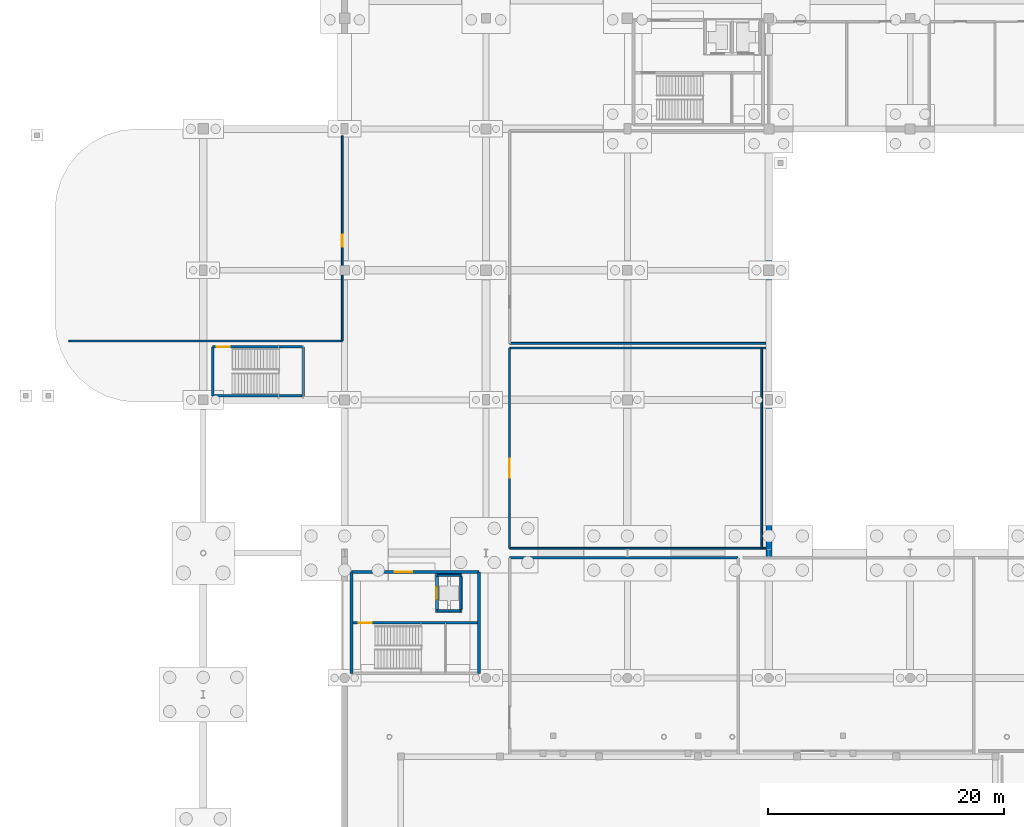
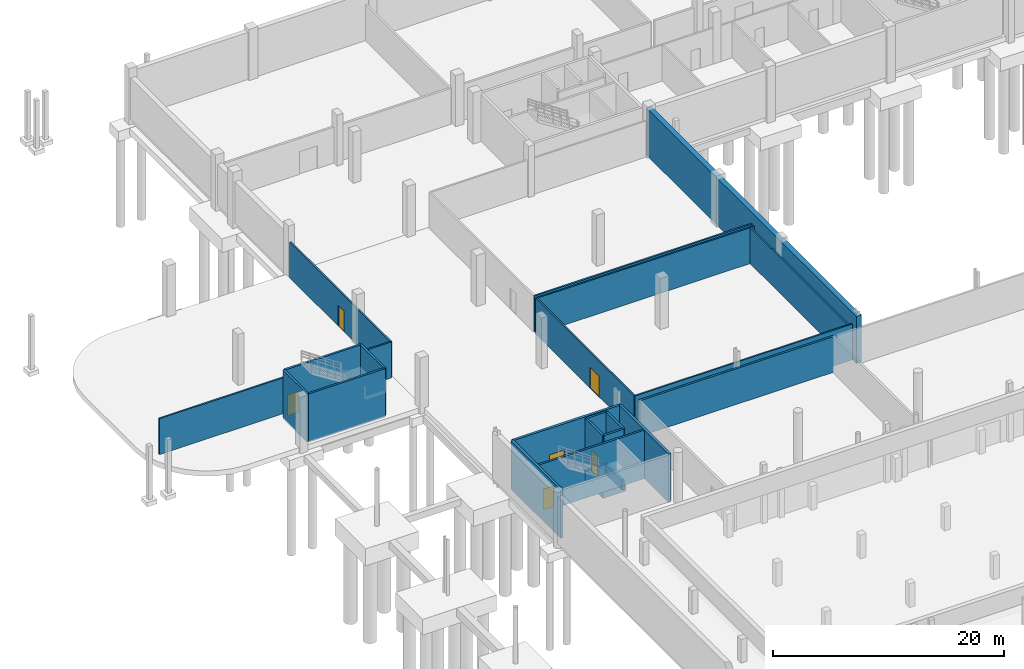
# One storey, part 29 of 42: 25 walls, 6 doors, 6 openings.
"""IFC4 building model written with IfcOpenShell, lengths in metres."""

from ifc_helpers import new_model, si_unit, direction, frame, frame_2d, origin, place, context, subcontext, project, spatial, rectangle, extrude, material, layer, layer_set, type_object, element, fill, save


model = new_model("IFC4")

# Units and contexts
model_context = context("Model", 3, precision=1e-05, world=origin(), true_north=direction((0.0, 1.0)))
body_context = subcontext(model_context, "Body", "Model", "MODEL_VIEW")
ifc_project = project(units=[si_unit("LENGTHUNIT", "METRE"), si_unit("AREAUNIT", "SQUARE_METRE"), si_unit("VOLUMEUNIT", "CUBIC_METRE"), si_unit("PLANEANGLEUNIT", "RADIAN"), si_unit("MASSUNIT", "GRAM", prefix="KILO"), si_unit("THERMODYNAMICTEMPERATUREUNIT", "KELVIN"), si_unit("POWERUNIT", "WATT")], contexts=[model_context])

# Site, building, storey
site_placement = place(None, origin())
site = spatial("IfcSite", under=ifc_project, at=site_placement, CompositionType="ELEMENT")
building_placement = place(site_placement, origin())
building = spatial("IfcBuilding", under=site, at=building_placement, Name="Solmara Park Aquatics Centre", CompositionType="ELEMENT")
storey_placement = place(building_placement, frame((0.0, 0.0, -5.39990234375)))
storey = spatial("IfcBuildingStorey", under=building, at=storey_placement, Name="B1", CompositionType="ELEMENT", Elevation=-5.39990234375)

# Wall, opening, door
ifc_material_1 = material(Name="Concrete C40/50", Category="concrete")
ifc_layer_1 = layer(ifc_material_1, 0.25, Name="Concrete C40/50")
ifc_layer_set_1 = layer_set([ifc_layer_1], Name="Concrete C40/50")
wall_type_1 = type_object("IfcWallType", Name="ARC-WL-CORE250", PredefinedType="SHEAR", material=ifc_layer_set_1)
wall_1_placement = place(storey_placement, frame((25.199951171875, 71.0, -0.150146484375), z_axis=(0.0, 0.0, 1.0), x_axis=(1.0, 0.0, 0.0)))
wall_1 = element("IfcWall", 1, at=wall_1_placement, inside=storey, type_object=wall_type_1, Name="CORE-4 Core Wall N B1", PredefinedType="SHEAR", context=body_context, shape_type="SweptSolid", body=[
    extrude(rectangle(XDim=10.800048828125, YDim=0.25, at=frame_2d((5.39990234375, 0.0))), origin(), (0.0, 0.0, 1.0), 5.130126953125),
])
opening_1_placement = place(wall_1_placement, frame((3.64990234375, 0.0, 0.14990234375)))
opening_1 = element("IfcOpeningElement", 2, at=opening_1_placement, cuts=wall_1, Name="Opening D-12", PredefinedType="OPENING", context=body_context, shape_type="SweptSolid", body=[
    extrude(rectangle(XDim=1.5, YDim=2.199951171875, at=frame_2d((0.75, 1.10009765625))), frame((0.0, 0.135009765625, 0.0), z_axis=(0.0, -1.0, 0.0), x_axis=(1.0, 0.0, 0.0)), (0.0, 0.0, 1.0), 0.27001953125),
])
ifc_material_2 = material(Name="Moisture-Resistant HPL & Hardwood", Category="wood")
door_type_1 = type_object("IfcDoorType", Name="ARC-DR-FD150x220", OperationType="DOUBLE_DOOR_SINGLE_SWING", PredefinedType="DOOR", material=ifc_material_2)
door_1_placement = place(opening_1_placement, origin())
door_1 = element("IfcDoor", 3, at=door_1_placement, inside=storey, type_object=door_type_1, Name="CORE-4 Lobby Entry Fire Door B1", OperationType="DOUBLE_DOOR_SINGLE_SWING", OverallHeight=2.199951171875, OverallWidth=1.5, PredefinedType="DOOR", context=body_context, shape_type="SweptSolid", body=[
    extrude(rectangle(XDim=1.5, YDim=2.199951171875, at=frame_2d((0.75, 1.10009765625))), frame((0.0, 0.02490234375, 0.0), z_axis=(0.0, -1.0, 0.0), x_axis=(1.0, 0.0, 0.0)), (0.0, 0.0, 1.0), 0.050048828125),
])
fill(opening_1, door_1)

# Walls
for number, where, z_axis, x_axis, name in (
    (4, (25.199951171875, 62.39990234375, -0.150146484375), (0.0, 0.0, 1.0), (0.0, 1.0, 0.0), "CORE-4 Core Wall W B1"),
    (5, (36.0, 62.39990234375, -0.150146484375), (0.0, 0.0, 1.0), (0.0, 1.0, 0.0), "CORE-4 Core Wall E B1"),
):
    element("IfcWall", number, at=place(storey_placement, frame(where, z_axis=z_axis, x_axis=x_axis)), inside=storey, type_object=wall_type_1, Name=name, PredefinedType="SHEAR", context=body_context, shape_type="SweptSolid", body=[
        extrude(rectangle(XDim=8.60009765625, YDim=0.25, at=frame_2d((4.300048828125, 0.0))), origin(), (0.0, 0.0, 1.0), 5.130126953125),
    ])

# Wall, opening, door
ifc_material_3 = material(Name="Concrete C25/30 Autoclaved Aerated Fire Blockwork", Category="masonry")
ifc_layer_2 = layer(ifc_material_3, 0.199951171875, Name="Concrete C25/30 Autoclaved Aerated Fire Blockwork")
ifc_layer_set_2 = layer_set([ifc_layer_2], Name="Concrete C25/30 Autoclaved Aerated Fire Blockwork")
wall_type_2 = type_object("IfcWallType", Name="ARC-WL-FIRE200", PredefinedType="SOLIDWALL", material=ifc_layer_set_2)
wall_2_placement = place(storey_placement, frame((32.419921875, 67.699951171875, -0.150146484375), z_axis=(0.0, 0.0, 1.0), x_axis=(0.0, 1.0, 0.0)))
wall_2 = element("IfcWall", 6, at=wall_2_placement, inside=storey, type_object=wall_type_2, Name="CORE-4 Lift Shaft Front Wall B1", PredefinedType="SOLIDWALL", context=body_context, shape_type="SweptSolid", body=[
    extrude(rectangle(XDim=3.0, YDim=0.199951171875, at=frame_2d((1.5, 0.0))), origin(), (0.0, 0.0, 1.0), 5.130126953125),
])
opening_2_placement = place(wall_2_placement, frame((0.949951171875, 0.0, 0.14990234375)))
opening_2 = element("IfcOpeningElement", 7, at=opening_2_placement, cuts=wall_2, Name="Opening D-09", PredefinedType="OPENING", context=body_context, shape_type="SweptSolid", body=[
    extrude(rectangle(XDim=1.10009765625, YDim=2.199951171875, at=frame_2d((0.550048828125, 1.10009765625))), frame((0.0, 0.10986328125, 0.0), z_axis=(0.0, -1.0, 0.0), x_axis=(1.0, 0.0, 0.0)), (0.0, 0.0, 1.0), 0.219970703125),
])
ifc_material_4 = material(Name="Stainless Steel", Category="steel")
door_type_2 = type_object("IfcDoorType", Name="ARC-DR-LD110x220", OperationType="DOUBLE_DOOR_SLIDING", PredefinedType="DOOR", material=ifc_material_4)
door_2_placement = place(opening_2_placement, origin())
door_2 = element("IfcDoor", 8, at=door_2_placement, inside=storey, type_object=door_type_2, Name="LF-06 Lift Landing Door B1", OperationType="DOUBLE_DOOR_SLIDING", OverallHeight=2.199951171875, OverallWidth=1.10009765625, PredefinedType="DOOR", context=body_context, shape_type="SweptSolid", body=[
    extrude(rectangle(XDim=1.10009765625, YDim=2.199951171875, at=frame_2d((0.550048828125, 1.10009765625))), frame((0.0, 0.02490234375, 0.0), z_axis=(0.0, -1.0, 0.0), x_axis=(1.0, 0.0, 0.0)), (0.0, 0.0, 1.0), 0.050048828125),
])
fill(opening_2, door_2)

# Walls
wall_3_placement = place(storey_placement, frame((34.449951171875, 67.699951171875, -0.150146484375), z_axis=(0.0, 0.0, 1.0), x_axis=(0.0, 1.0, 0.0)))
element("IfcWall", 9, at=wall_3_placement, inside=storey, type_object=wall_type_2, Name="LF-06 Lift Shaft East Wall B1", PredefinedType="SOLIDWALL", context=body_context, shape_type="SweptSolid", body=[
    extrude(rectangle(XDim=3.0, YDim=0.199951171875, at=frame_2d((1.5, 0.0))), origin(), (0.0, 0.0, 1.0), 5.130126953125),
])
for number, where, z_axis, x_axis, name in (
    (10, (32.419921875, 67.699951171875, -0.150146484375), (0.0, 0.0, 1.0), (1.0, 0.0, 0.0), "LF-06 Lift Shaft South Wall B1"),
    (11, (32.419921875, 70.699951171875, -0.150146484375), (0.0, 0.0, 1.0), (1.0, 0.0, 0.0), "LF-06 Lift Shaft North Wall B1"),
):
    element("IfcWall", number, at=place(storey_placement, frame(where, z_axis=z_axis, x_axis=x_axis)), inside=storey, type_object=wall_type_2, Name=name, PredefinedType="SOLIDWALL", context=body_context, shape_type="SweptSolid", body=[
        extrude(rectangle(XDim=2.030029296875, YDim=0.199951171875, at=frame_2d((1.01513671875, 0.0))), origin(), (0.0, 0.0, 1.0), 5.130126953125),
    ])
wall_4_placement = place(storey_placement, frame((38.60009765625, 72.199951171875, 0.0), z_axis=(0.0, 0.0, 1.0), x_axis=(1.0, 0.0, 0.0)))
element("IfcWall", 12, at=wall_4_placement, inside=storey, type_object=wall_type_2, Name="Interior Partition IW-B1-0004 (B1-PLT-01)", PredefinedType="SOLIDWALL", context=body_context, shape_type="SweptSolid", body=[
    extrude(rectangle(XDim=19.39990234375, YDim=0.199951171875, at=frame_2d((9.699951171875, 0.0))), origin(), (0.0, 0.0, 1.0), 3.77978515625),
])

# Wall, opening, door
ifc_material_5 = material(Name="Cement-Rendered Masonry Partition", Category="masonry")
ifc_layer_3 = layer(ifc_material_5, 0.14990234375, Name="Cement-Rendered Masonry Partition")
ifc_layer_set_3 = layer_set([ifc_layer_3], Name="Cement-Rendered Masonry Partition")
wall_type_3 = type_object("IfcWallType", Name="ARC-WL-MAS150", PredefinedType="PARTITIONING", material=ifc_layer_set_3)
wall_5_placement = place(storey_placement, frame((38.60009765625, 73.0, 0.0), z_axis=(0.0, 0.0, 1.0), x_axis=(0.0, 1.0, 0.0)))
wall_5 = element("IfcWall", 13, at=wall_5_placement, inside=storey, type_object=wall_type_3, Name="Interior Partition IW-B1-0025 (B1-LND-01)", PredefinedType="PARTITIONING", context=body_context, shape_type="SweptSolid", body=[
    extrude(rectangle(XDim=17.0, YDim=0.14990234375, at=frame_2d((8.5, 0.0))), origin(), (0.0, 0.0, 1.0), 3.7998046875),
])
opening_3_placement = place(wall_5_placement, frame((6.0, 0.0, 0.0)))
opening_3 = element("IfcOpeningElement", 14, at=opening_3_placement, cuts=wall_5, Name="Opening D-19", PredefinedType="OPENING", context=body_context, shape_type="SweptSolid", body=[
    extrude(rectangle(XDim=1.60009765625, YDim=2.199951171875, at=frame_2d((0.800048828125, 1.10009765625))), frame((0.0, 0.0849609375, 0.0), z_axis=(0.0, -1.0, 0.0), x_axis=(1.0, 0.0, 0.0)), (0.0, 0.0, 1.0), 0.169921875),
])
door_type_3 = type_object("IfcDoorType", Name="ARC-DR-DBL160x220", OperationType="DOUBLE_DOOR_SINGLE_SWING", PredefinedType="DOOR", material=ifc_material_2)
door_3_placement = place(opening_3_placement, origin())
door_3 = element("IfcDoor", 15, at=door_3_placement, inside=storey, type_object=door_type_3, Name="Central Towel Laundry and Linen Sterilisation Suite Door", OperationType="DOUBLE_DOOR_SINGLE_SWING", OverallHeight=2.199951171875, OverallWidth=1.60009765625, PredefinedType="DOOR", context=body_context, shape_type="SweptSolid", body=[
    extrude(rectangle(XDim=1.60009765625, YDim=2.199951171875, at=frame_2d((0.800048828125, 1.10009765625))), frame((0.0, 0.02490234375, 0.0), z_axis=(0.0, -1.0, 0.0), x_axis=(1.0, 0.0, 0.0)), (0.0, 0.0, 1.0), 0.050048828125),
])
fill(opening_3, door_3)

# Walls
wall_6_placement = place(storey_placement, frame((38.60009765625, 73.0, 0.0), z_axis=(0.0, 0.0, 1.0), x_axis=(1.0, 0.0, 0.0)))
element("IfcWall", 16, at=wall_6_placement, inside=storey, type_object=wall_type_3, Name="Interior Partition IW-B1-0026 (B1-LND-01)", PredefinedType="PARTITIONING", context=body_context, shape_type="SweptSolid", body=[
    extrude(rectangle(XDim=21.75, YDim=0.14990234375, at=frame_2d((10.875, 0.0))), origin(), (0.0, 0.0, 1.0), 3.77978515625),
])
wall_7_placement = place(storey_placement, frame((60.0, 73.0, 0.0), z_axis=(0.0, 0.0, 1.0), x_axis=(0.0, 1.0, 0.0)))
element("IfcWall", 17, at=wall_7_placement, inside=storey, type_object=wall_type_3, Name="Interior Partition IW-B1-0027 (B1-LND-01)", PredefinedType="PARTITIONING", context=body_context, shape_type="SweptSolid", body=[
    extrude(rectangle(XDim=17.0, YDim=0.14990234375, at=frame_2d((8.5, 0.0))), origin(), (0.0, 0.0, 1.0), 3.7998046875),
])
wall_8_placement = place(storey_placement, frame((38.60009765625, 90.0, 0.0), z_axis=(0.0, 0.0, 1.0), x_axis=(1.0, 0.0, 0.0)))
element("IfcWall", 18, at=wall_8_placement, inside=storey, type_object=wall_type_3, Name="Interior Partition IW-B1-0028 (B1-LND-01)", PredefinedType="PARTITIONING", context=body_context, shape_type="SweptSolid", body=[
    extrude(rectangle(XDim=21.75, YDim=0.14990234375, at=frame_2d((10.875, 0.0))), origin(), (0.0, 0.0, 1.0), 3.7998046875),
])
ifc_material_6 = material(Name="Waterproof Tile-Faced Wet-Area Plumbing Wall", Category="concrete")
ifc_layer_4 = layer(ifc_material_6, 0.159912109375, Name="Waterproof Tile-Faced Wet-Area Plumbing Wall")
ifc_layer_set_4 = layer_set([ifc_layer_4], Name="Waterproof Tile-Faced Wet-Area Plumbing Wall")
wall_type_4 = type_object("IfcWallType", Name="ARC-WL-WET160", PredefinedType="PLUMBINGWALL", material=ifc_layer_set_4)
wall_9_placement = place(storey_placement, frame((1.199951171875, 90.60009765625, 0.0), z_axis=(0.0, 0.0, 1.0), x_axis=(1.0, 0.0, 0.0)))
element("IfcWall", 19, at=wall_9_placement, inside=storey, type_object=wall_type_4, Name="Interior Partition IW-B1-0023 (B1-CHG-01)", PredefinedType="PLUMBINGWALL", context=body_context, shape_type="SweptSolid", body=[
    extrude(rectangle(XDim=23.199951171875, YDim=0.159912109375, at=frame_2d((11.60009765625, 0.0))), origin(), (0.0, 0.0, 1.0), 3.7998046875),
])

# Wall, opening, door
wall_10_placement = place(storey_placement, frame((24.39990234375, 90.60009765625, 0.0), z_axis=(0.0, 0.0, 1.0), x_axis=(0.0, 1.0, 0.0)))
wall_10 = element("IfcWall", 20, at=wall_10_placement, inside=storey, type_object=wall_type_4, Name="Interior Partition IW-B1-0024 (B1-CHG-01)", PredefinedType="PLUMBINGWALL", context=body_context, shape_type="SweptSolid", body=[
    extrude(rectangle(XDim=17.39990234375, YDim=0.159912109375, at=frame_2d((8.699951171875, 0.0))), origin(), (0.0, 0.0, 1.0), 3.7998046875),
])
opening_4_placement = place(wall_10_placement, frame((8.0, 0.0, 0.0)))
opening_4 = element("IfcOpeningElement", 21, at=opening_4_placement, cuts=wall_10, Name="Opening D-16", PredefinedType="OPENING", context=body_context, shape_type="SweptSolid", body=[
    extrude(rectangle(XDim=1.0, YDim=2.199951171875, at=frame_2d((0.5, 1.10009765625))), frame((0.0, 0.08984375, 0.0), z_axis=(0.0, -1.0, 0.0), x_axis=(1.0, 0.0, 0.0)), (0.0, 0.0, 1.0), 0.179931640625),
])
door_type_4 = type_object("IfcDoorType", Name="ARC-DR-SGL100x220", OperationType="NOTDEFINED", PredefinedType="DOOR", material=ifc_material_2)
door_4_placement = place(opening_4_placement, origin())
door_4 = element("IfcDoor", 22, at=door_4_placement, inside=storey, type_object=door_type_4, Name="Visiting Swim Squad Locker and Changing Suite Door", OperationType="SINGLE_SWING_RIGHT", OverallHeight=2.199951171875, OverallWidth=1.0, PredefinedType="DOOR", context=body_context, shape_type="SweptSolid", body=[
    extrude(rectangle(XDim=1.0, YDim=2.199951171875, at=frame_2d((0.5, 1.10009765625))), frame((0.0, 0.02490234375, 0.0), z_axis=(0.0, -1.0, 0.0), x_axis=(1.0, 0.0, 0.0)), (0.0, 0.0, 1.0), 0.050048828125),
])
fill(opening_4, door_4)

# Walls
wall_11_placement = place(storey_placement, frame((38.60009765625, 90.39990234375, 0.0), z_axis=(0.0, 0.0, 1.0), x_axis=(1.0, 0.0, 0.0)))
element("IfcWall", 23, at=wall_11_placement, inside=storey, type_object=wall_type_4, Name="Interior Partition IW-B1-0030 (B1-STF-01)", PredefinedType="PLUMBINGWALL", context=body_context, shape_type="SweptSolid", body=[
    extrude(rectangle(XDim=21.75, YDim=0.159912109375, at=frame_2d((10.875, 0.0))), origin(), (0.0, 0.0, 1.0), 3.7998046875),
])
ifc_layer_5 = layer(ifc_material_1, 0.25, Name="Concrete C40/50")
ifc_layer_set_5 = layer_set([ifc_layer_5], Name="Concrete C40/50")
wall_type_5 = type_object("IfcWallType", Name="STR-WL-CORE250", PredefinedType="SHEAR", material=ifc_layer_set_5)
for number, where, z_axis, x_axis, name in (
    (24, (32.300048828125, 67.675048828125, -1.60009765625), (0.0, 0.0, 1.0), (1.0, 0.0, 0.0), "Lift Shaft LF-06 Pit Wall S"),
    (25, (32.300048828125, 70.72509765625, -1.60009765625), (0.0, 0.0, 1.0), (1.0, 0.0, 0.0), "Lift Shaft LF-06 Pit Wall N"),
):
    element("IfcWall", number, at=place(storey_placement, frame(where, z_axis=z_axis, x_axis=x_axis)), inside=storey, type_object=wall_type_5, Name=name, PredefinedType="SHEAR", context=body_context, shape_type="SweptSolid", body=[
        extrude(rectangle(XDim=2.280029296875, YDim=0.25, at=frame_2d((1.14013671875, 0.0))), origin(), (0.0, 0.0, 1.0), 1.050048828125),
    ])
for number, where, z_axis, x_axis, name in (
    (26, (32.425048828125, 67.81005859375, -1.60009765625), (0.0, 0.0, 1.0), (0.0, 1.0, 0.0), "Lift Shaft LF-06 Pit Wall W"),
    (27, (34.465087890625, 67.81005859375, -1.60009765625), (0.0, 0.0, 1.0), (0.0, 1.0, 0.0), "Lift Shaft LF-06 Pit Wall E"),
):
    element("IfcWall", number, at=place(storey_placement, frame(where, z_axis=z_axis, x_axis=x_axis)), inside=storey, type_object=wall_type_5, Name=name, PredefinedType="SHEAR", context=body_context, shape_type="SweptSolid", body=[
        extrude(rectangle(XDim=2.780029296875, YDim=0.25, at=frame_2d((1.39013671875, 0.0))), origin(), (0.0, 0.0, 1.0), 1.050048828125),
    ])
ifc_material_7 = material(Name="Watertight Concrete C45/55", Category="concrete")
ifc_layer_6 = layer(ifc_material_7, 0.5, Name="Watertight Concrete C45/55")
ifc_layer_set_6 = layer_set([ifc_layer_6], Name="Watertight Concrete C45/55")
wall_type_6 = type_object("IfcWallType", Name="STR-WL-RET500", PredefinedType="USERDEFINED", material=ifc_layer_set_6)
wall_12_placement = place(storey_placement, frame((60.60009765625, 72.25, 0.0), z_axis=(0.0, 0.0, 1.0), x_axis=(0.0, 1.0, 0.0)))
element("IfcWall", 28, at=wall_12_placement, inside=storey, type_object=wall_type_6, Name="Basement Perimeter Retaining Wall 11", ObjectType="RETAINING WALL", PredefinedType="USERDEFINED", context=body_context, shape_type="SweptSolid", body=[
    extrude(rectangle(XDim=36.35009765625, YDim=0.5, at=frame_2d((18.175048828125, 0.0))), origin(), (0.0, 0.0, 1.0), 4.97998046875),
])

# Wall, opening, door
ifc_material_8 = material(Name="Concrete C35/45", Category="concrete")
ifc_layer_7 = layer(ifc_material_8, 0.199951171875, Name="Concrete C35/45")
ifc_layer_set_7 = layer_set([ifc_layer_7], Name="Concrete C35/45")
wall_type_7 = type_object("IfcWallType", Name="STR-WL-STAIR200", PredefinedType="SHEAR", material=ifc_layer_set_7)
wall_13_placement = place(storey_placement, frame((25.320068359375, 66.675048828125, -0.150146484375), z_axis=(0.0, 0.0, 1.0), x_axis=(1.0, 0.0, 0.0)))
wall_13 = element("IfcWall", 29, at=wall_13_placement, inside=storey, type_object=wall_type_7, Name="CORE-4 Stairwell Compartment Wall B1", PredefinedType="SHEAR", context=body_context, shape_type="SweptSolid", body=[
    extrude(rectangle(XDim=10.559814453125, YDim=0.199951171875, at=frame_2d((5.27978515625, 0.0))), origin(), (0.0, 0.0, 1.0), 5.130126953125),
])
opening_5_placement = place(wall_13_placement, frame((0.47998046875, 0.0, 0.14990234375)))
opening_5 = element("IfcOpeningElement", 30, at=opening_5_placement, cuts=wall_13, Name="Opening D-11", PredefinedType="OPENING", context=body_context, shape_type="SweptSolid", body=[
    extrude(rectangle(XDim=1.10009765625, YDim=2.199951171875, at=frame_2d((0.550048828125, 1.10009765625))), frame((0.0, 0.10986328125, 0.0), z_axis=(0.0, -1.0, 0.0), x_axis=(1.0, 0.0, 0.0)), (0.0, 0.0, 1.0), 0.219970703125),
])
door_type_5 = type_object("IfcDoorType", Name="ARC-DR-FD110x220", OperationType="NOTDEFINED", PredefinedType="DOOR", material=ifc_material_2)
door_5_placement = place(opening_5_placement, origin())
door_5 = element("IfcDoor", 31, at=door_5_placement, inside=storey, type_object=door_type_5, Name="ST-04 Fire Door B1", OperationType="SINGLE_SWING_LEFT", OverallHeight=2.199951171875, OverallWidth=1.10009765625, PredefinedType="DOOR", context=body_context, shape_type="SweptSolid", body=[
    extrude(rectangle(XDim=1.10009765625, YDim=2.199951171875, at=frame_2d((0.550048828125, 1.10009765625))), frame((0.0, 0.02490234375, 0.0), z_axis=(0.0, -1.0, 0.0), x_axis=(1.0, 0.0, 0.0)), (0.0, 0.0, 1.0), 0.050048828125),
])
fill(opening_5, door_5)

# Wall
wall_14_placement = place(storey_placement, frame((13.39990234375, 85.93994140625, -0.150146484375), z_axis=(0.0, 0.0, 1.0), x_axis=(1.0, 0.0, 0.0)))
element("IfcWall", 32, at=wall_14_placement, inside=storey, type_object=wall_type_7, Name="ST08 Escape Stair Wall S B1", PredefinedType="SHEAR", context=body_context, shape_type="SweptSolid", body=[
    extrude(rectangle(XDim=7.7001953125, YDim=0.199951171875, at=frame_2d((3.85009765625, 0.0))), origin(), (0.0, 0.0, 1.0), 5.130126953125),
])

# Wall, opening, door
wall_15_placement = place(storey_placement, frame((13.39990234375, 90.10009765625, -0.150146484375), z_axis=(0.0, 0.0, 1.0), x_axis=(1.0, 0.0, 0.0)))
wall_15 = element("IfcWall", 33, at=wall_15_placement, inside=storey, type_object=wall_type_7, Name="ST08 Escape Stair Wall N B1", PredefinedType="SHEAR", context=body_context, shape_type="SweptSolid", body=[
    extrude(rectangle(XDim=7.7001953125, YDim=0.199951171875, at=frame_2d((3.85009765625, 0.0))), origin(), (0.0, 0.0, 1.0), 5.130126953125),
])
opening_6_placement = place(wall_15_placement, frame((0.35009765625, 0.0, 0.14990234375)))
opening_6 = element("IfcOpeningElement", 34, at=opening_6_placement, cuts=wall_15, Name="Opening D-11", PredefinedType="OPENING", context=body_context, shape_type="SweptSolid", body=[
    extrude(rectangle(XDim=1.10009765625, YDim=2.199951171875, at=frame_2d((0.550048828125, 1.10009765625))), frame((0.0, 0.10986328125, 0.0), z_axis=(0.0, -1.0, 0.0), x_axis=(1.0, 0.0, 0.0)), (0.0, 0.0, 1.0), 0.219970703125),
])
door_6_placement = place(opening_6_placement, frame((1.10009765625, 0.0, 0.0), z_axis=(0.0, 0.0, 1.0), x_axis=(-1.0, 0.0, 0.0)))
door_6 = element("IfcDoor", 35, at=door_6_placement, inside=storey, type_object=door_type_5, Name="ST08 Escape Stair Entry Door B1", OperationType="SINGLE_SWING_RIGHT", OverallHeight=2.199951171875, OverallWidth=1.10009765625, PredefinedType="DOOR", context=body_context, shape_type="SweptSolid", body=[
    extrude(rectangle(XDim=1.10009765625, YDim=2.199951171875, at=frame_2d((0.550048828125, 1.10009765625))), frame((0.0, 0.02490234375, 0.0), z_axis=(0.0, -1.0, 0.0), x_axis=(1.0, 0.0, 0.0)), (0.0, 0.0, 1.0), 0.050048828125),
])
fill(opening_6, door_6)

# Walls
for number, where, z_axis, x_axis, name in (
    (36, (13.39990234375, 85.93994140625, -0.150146484375), (0.0, 0.0, 1.0), (0.0, 1.0, 0.0), "ST08 Escape Stair Wall W B1"),
    (37, (21.10009765625, 85.93994140625, -0.150146484375), (0.0, 0.0, 1.0), (0.0, 1.0, 0.0), "ST08 Escape Stair Wall E B1"),
):
    element("IfcWall", number, at=place(storey_placement, frame(where, z_axis=z_axis, x_axis=x_axis)), inside=storey, type_object=wall_type_7, Name=name, PredefinedType="SHEAR", context=body_context, shape_type="SweptSolid", body=[
        extrude(rectangle(XDim=4.16015625, YDim=0.199951171875, at=frame_2d((2.080078125, 0.0))), origin(), (0.0, 0.0, 1.0), 5.130126953125),
    ])

save(model, "model.ifc")
